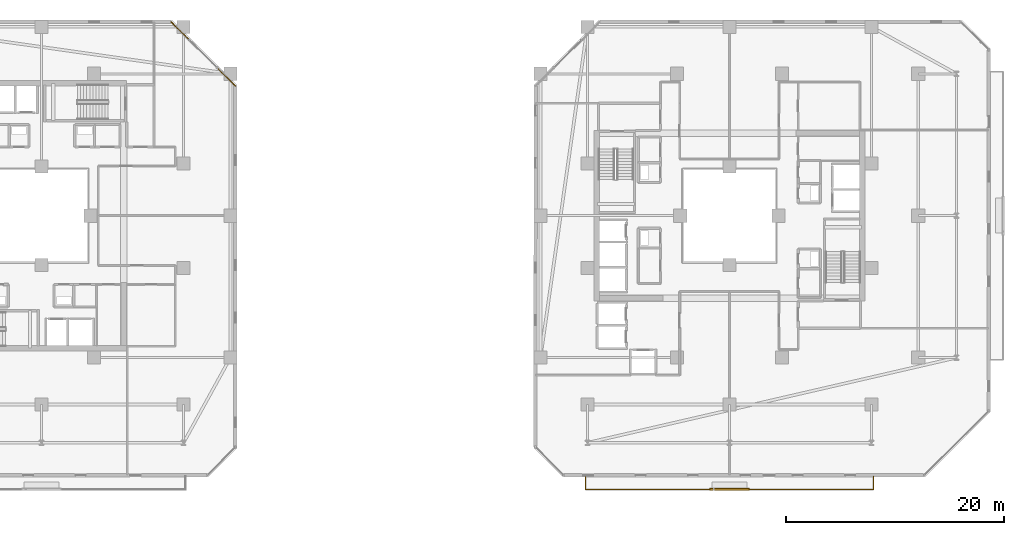
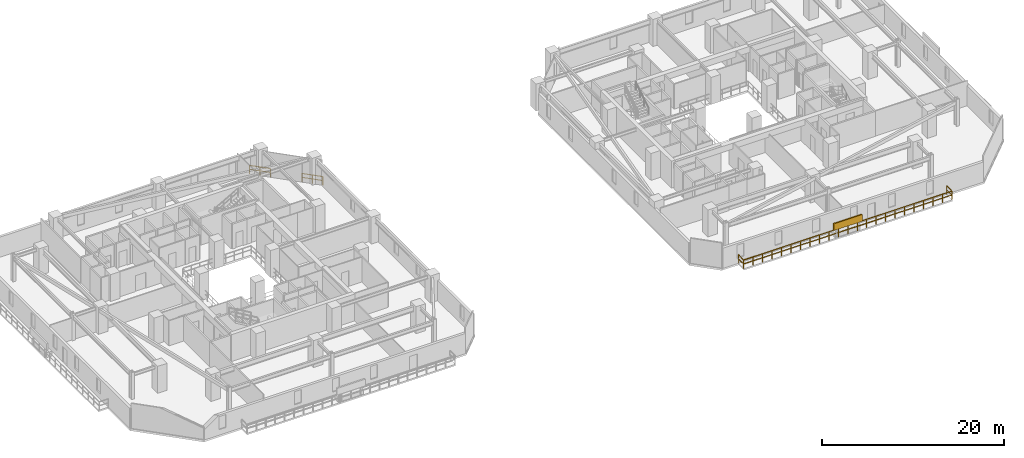
# One storey, part 30 of 32: 3 railings, 1 shading device.
"""IFC4 building model written with IfcOpenShell, lengths in metres."""

from ifc_helpers import new_model, si_unit, direction, frame, origin, origin_2d, place, context, subcontext, project, spatial, rectangle, extrude, material, type_object, element, save


model = new_model("IFC4")

# Units and contexts
model_context = context("Model", 3, precision=1e-05, world=origin(), true_north=direction((0.0, 1.0)))
body_context = subcontext(model_context, "Body", "Model", "MODEL_VIEW")
ifc_project = project(units=[si_unit("LENGTHUNIT", "METRE"), si_unit("AREAUNIT", "SQUARE_METRE"), si_unit("VOLUMEUNIT", "CUBIC_METRE"), si_unit("PLANEANGLEUNIT", "RADIAN"), si_unit("MASSUNIT", "GRAM", prefix="KILO")], contexts=[model_context])

# Site, building, storey
site_placement = place(None, origin())
site = spatial("IfcSite", under=ifc_project, at=site_placement, CompositionType="ELEMENT")
building_placement = place(site_placement, origin())
building = spatial("IfcBuilding", under=site, at=building_placement, Name="Thornwick Lancets Civic Towers", CompositionType="ELEMENT")
storey_placement = place(building_placement, frame((0.0, 0.0, 123.300048828125)))
storey = spatial("IfcBuildingStorey", under=building, at=storey_placement, Name="L32", CompositionType="ELEMENT", Elevation=123.300048828125)

# Railings
ifc_material_1 = material(Name="Terracotta-capped laminated glass balustrade S355", Category="masonry")
railing_type = type_object("IfcRailingType", Name="RAIL_TERR_GUARD", PredefinedType="GUARDRAIL", material=ifc_material_1)
for number, where, name in (
    (1, (43.253662109375, 38.872314453125, 0.0), "L32 Tower A Chamfer Spandrel Guard E3-1"),
    (2, (39.046875, 43.0791015625, 0.0), "L32 Tower A Chamfer Spandrel Guard E3-2"),
):
    element("IfcRailing", number, at=place(storey_placement, frame(where)), inside=storey, type_object=railing_type, Name=name, PredefinedType="GUARDRAIL", context=body_context, shape_type="SweptSolid", body=[
        extrude(rectangle(XDim=0.048095703125, YDim=0.048095703125, at=origin_2d()), frame((0.0, 0.0, 1.1259765625), z_axis=(-0.707106781187, 0.707106781187, 0.0), x_axis=(-0.707106781187, -0.707106781187, 0.0)), (0.0, 0.0, 1.0), 2.3681640625),
        extrude(rectangle(XDim=0.0419921875, YDim=0.0419921875, at=origin_2d()), frame((-0.026611328125, 0.026611328125, 0.597900390625), z_axis=(-0.707106781187, 0.707106781187, 0.0), x_axis=(-0.707106781187, -0.707106781187, 0.0)), (0.0, 0.0, 1.0), 1.109130859375),
        extrude(rectangle(XDim=0.0419921875, YDim=0.0419921875, at=origin_2d()), frame((-0.86376953125, 0.86376953125, 0.597900390625), z_axis=(-0.707106781187, 0.707106781187, 0.0), x_axis=(-0.707106781187, -0.707106781187, 0.0)), (0.0, 0.0, 1.0), 1.109130859375),
        extrude(rectangle(XDim=0.0419921875, YDim=0.0419921875, at=origin_2d()), origin(), (0.0, 0.0, 1.0), 1.095703125),
        extrude(rectangle(XDim=0.0419921875, YDim=0.0419921875, at=origin_2d()), frame((-0.83740234375, 0.83740234375, 0.0)), (0.0, 0.0, 1.0), 1.095703125),
        extrude(rectangle(XDim=0.0419921875, YDim=0.0419921875, at=origin_2d()), frame((-1.674560546875, 1.674560546875, 0.0)), (0.0, 0.0, 1.0), 1.095703125),
    ])
railing_placement = place(storey_placement, frame((75.300048828125, 3.10009765625, 0.0)))
element("IfcRailing", 3, at=railing_placement, inside=storey, type_object=railing_type, Name="L32 Tower B Balcony Guard S", PredefinedType="GUARDRAIL", context=body_context, shape_type="SweptSolid", body=[
    extrude(rectangle(XDim=0.048095703125, YDim=0.048095703125, at=origin_2d()), frame((0.0, 0.0, 1.1259765625), z_axis=(0.0, -1.0, 0.0), x_axis=(1.0, 0.0, 0.0)), (0.0, 0.0, 1.0), 1.138916015625),
    extrude(rectangle(XDim=0.0419921875, YDim=0.0419921875, at=origin_2d()), frame((0.0, -0.03759765625, 0.597900390625), z_axis=(0.0, -1.0, 0.0), x_axis=(1.0, 0.0, 0.0)), (0.0, 0.0, 1.0), 1.09521484375),
    extrude(rectangle(XDim=0.048095703125, YDim=0.048095703125, at=origin_2d()), frame((0.03125, -1.170166015625, 1.1259765625), z_axis=(1.0, 0.0, 0.0), x_axis=(0.0, 1.0, 0.0)), (0.0, 0.0, 1.0), 26.33740234375),
    extrude(rectangle(XDim=0.0419921875, YDim=0.0419921875, at=origin_2d()), frame((0.03759765625, -1.170166015625, 0.597900390625), z_axis=(1.0, 0.0, 0.0), x_axis=(0.0, 1.0, 0.0)), (0.0, 0.0, 1.0), 1.125),
    extrude(rectangle(XDim=0.0419921875, YDim=0.0419921875, at=origin_2d()), frame((1.237548828125, -1.170166015625, 0.597900390625), z_axis=(1.0, 0.0, 0.0), x_axis=(0.0, 1.0, 0.0)), (0.0, 0.0, 1.0), 1.125),
    extrude(rectangle(XDim=0.0419921875, YDim=0.0419921875, at=origin_2d()), frame((2.4375, -1.170166015625, 0.597900390625), z_axis=(1.0, 0.0, 0.0), x_axis=(0.0, 1.0, 0.0)), (0.0, 0.0, 1.0), 1.125),
    extrude(rectangle(XDim=0.0419921875, YDim=0.0419921875, at=origin_2d()), frame((3.637451171875, -1.170166015625, 0.597900390625), z_axis=(1.0, 0.0, 0.0), x_axis=(0.0, 1.0, 0.0)), (0.0, 0.0, 1.0), 1.125),
    extrude(rectangle(XDim=0.0419921875, YDim=0.0419921875, at=origin_2d()), frame((4.83740234375, -1.170166015625, 0.597900390625), z_axis=(1.0, 0.0, 0.0), x_axis=(0.0, 1.0, 0.0)), (0.0, 0.0, 1.0), 1.125),
    extrude(rectangle(XDim=0.0419921875, YDim=0.0419921875, at=origin_2d()), frame((6.037353515625, -1.170166015625, 0.597900390625), z_axis=(1.0, 0.0, 0.0), x_axis=(0.0, 1.0, 0.0)), (0.0, 0.0, 1.0), 1.125),
    extrude(rectangle(XDim=0.0419921875, YDim=0.0419921875, at=origin_2d()), frame((7.237548828125, -1.170166015625, 0.597900390625), z_axis=(1.0, 0.0, 0.0), x_axis=(0.0, 1.0, 0.0)), (0.0, 0.0, 1.0), 1.125),
    extrude(rectangle(XDim=0.0419921875, YDim=0.0419921875, at=origin_2d()), frame((8.4375, -1.170166015625, 0.597900390625), z_axis=(1.0, 0.0, 0.0), x_axis=(0.0, 1.0, 0.0)), (0.0, 0.0, 1.0), 1.125),
    extrude(rectangle(XDim=0.0419921875, YDim=0.0419921875, at=origin_2d()), frame((9.637451171875, -1.170166015625, 0.597900390625), z_axis=(1.0, 0.0, 0.0), x_axis=(0.0, 1.0, 0.0)), (0.0, 0.0, 1.0), 1.125),
    extrude(rectangle(XDim=0.0419921875, YDim=0.0419921875, at=origin_2d()), frame((10.83740234375, -1.170166015625, 0.597900390625), z_axis=(1.0, 0.0, 0.0), x_axis=(0.0, 1.0, 0.0)), (0.0, 0.0, 1.0), 1.125),
    extrude(rectangle(XDim=0.0419921875, YDim=0.0419921875, at=origin_2d()), frame((12.037353515625, -1.170166015625, 0.597900390625), z_axis=(1.0, 0.0, 0.0), x_axis=(0.0, 1.0, 0.0)), (0.0, 0.0, 1.0), 1.125),
    extrude(rectangle(XDim=0.0419921875, YDim=0.0419921875, at=origin_2d()), frame((13.237548828125, -1.170166015625, 0.597900390625), z_axis=(1.0, 0.0, 0.0), x_axis=(0.0, 1.0, 0.0)), (0.0, 0.0, 1.0), 1.125),
    extrude(rectangle(XDim=0.0419921875, YDim=0.0419921875, at=origin_2d()), frame((14.4375, -1.170166015625, 0.597900390625), z_axis=(1.0, 0.0, 0.0), x_axis=(0.0, 1.0, 0.0)), (0.0, 0.0, 1.0), 1.125),
    extrude(rectangle(XDim=0.0419921875, YDim=0.0419921875, at=origin_2d()), frame((15.637451171875, -1.170166015625, 0.597900390625), z_axis=(1.0, 0.0, 0.0), x_axis=(0.0, 1.0, 0.0)), (0.0, 0.0, 1.0), 1.125),
    extrude(rectangle(XDim=0.0419921875, YDim=0.0419921875, at=origin_2d()), frame((16.83740234375, -1.170166015625, 0.597900390625), z_axis=(1.0, 0.0, 0.0), x_axis=(0.0, 1.0, 0.0)), (0.0, 0.0, 1.0), 1.125),
    extrude(rectangle(XDim=0.0419921875, YDim=0.0419921875, at=origin_2d()), frame((18.037353515625, -1.170166015625, 0.597900390625), z_axis=(1.0, 0.0, 0.0), x_axis=(0.0, 1.0, 0.0)), (0.0, 0.0, 1.0), 1.125),
    extrude(rectangle(XDim=0.0419921875, YDim=0.0419921875, at=origin_2d()), frame((19.2373046875, -1.170166015625, 0.597900390625), z_axis=(1.0, 0.0, 0.0), x_axis=(0.0, 1.0, 0.0)), (0.0, 0.0, 1.0), 1.125),
    extrude(rectangle(XDim=0.0419921875, YDim=0.0419921875, at=origin_2d()), frame((20.4375, -1.170166015625, 0.597900390625), z_axis=(1.0, 0.0, 0.0), x_axis=(0.0, 1.0, 0.0)), (0.0, 0.0, 1.0), 1.125),
    extrude(rectangle(XDim=0.0419921875, YDim=0.0419921875, at=origin_2d()), frame((21.637451171875, -1.170166015625, 0.597900390625), z_axis=(1.0, 0.0, 0.0), x_axis=(0.0, 1.0, 0.0)), (0.0, 0.0, 1.0), 1.125),
    extrude(rectangle(XDim=0.0419921875, YDim=0.0419921875, at=origin_2d()), frame((22.83740234375, -1.170166015625, 0.597900390625), z_axis=(1.0, 0.0, 0.0), x_axis=(0.0, 1.0, 0.0)), (0.0, 0.0, 1.0), 1.125),
    extrude(rectangle(XDim=0.0419921875, YDim=0.0419921875, at=origin_2d()), frame((24.037353515625, -1.170166015625, 0.597900390625), z_axis=(1.0, 0.0, 0.0), x_axis=(0.0, 1.0, 0.0)), (0.0, 0.0, 1.0), 1.125),
    extrude(rectangle(XDim=0.0419921875, YDim=0.0419921875, at=origin_2d()), frame((25.2373046875, -1.170166015625, 0.597900390625), z_axis=(1.0, 0.0, 0.0), x_axis=(0.0, 1.0, 0.0)), (0.0, 0.0, 1.0), 1.125),
    extrude(rectangle(XDim=0.048095703125, YDim=0.048095703125, at=origin_2d()), frame((26.39990234375, -1.138916015625, 1.1259765625), z_axis=(0.0, 1.0, 0.0), x_axis=(-1.0, 0.0, 0.0)), (0.0, 0.0, 1.0), 1.138916015625),
    extrude(rectangle(XDim=0.0419921875, YDim=0.0419921875, at=origin_2d()), frame((26.39990234375, -1.132568359375, 0.597900390625), z_axis=(0.0, 1.0, 0.0), x_axis=(-1.0, 0.0, 0.0)), (0.0, 0.0, 1.0), 1.09521484375),
    extrude(rectangle(XDim=0.0419921875, YDim=0.0419921875, at=origin_2d()), origin(), (0.0, 0.0, 1.0), 1.095703125),
    extrude(rectangle(XDim=0.0419921875, YDim=0.0419921875, at=origin_2d()), frame((0.0, -1.170166015625, 0.0)), (0.0, 0.0, 1.0), 1.095703125),
    extrude(rectangle(XDim=0.0419921875, YDim=0.0419921875, at=origin_2d()), frame((1.199951171875, -1.170166015625, 0.0)), (0.0, 0.0, 1.0), 1.095703125),
    extrude(rectangle(XDim=0.0419921875, YDim=0.0419921875, at=origin_2d()), frame((2.39990234375, -1.170166015625, 0.0)), (0.0, 0.0, 1.0), 1.095703125),
    extrude(rectangle(XDim=0.0419921875, YDim=0.0419921875, at=origin_2d()), frame((3.60009765625, -1.170166015625, 0.0)), (0.0, 0.0, 1.0), 1.095703125),
    extrude(rectangle(XDim=0.0419921875, YDim=0.0419921875, at=origin_2d()), frame((4.800048828125, -1.170166015625, 0.0)), (0.0, 0.0, 1.0), 1.095703125),
    extrude(rectangle(XDim=0.0419921875, YDim=0.0419921875, at=origin_2d()), frame((6.0, -1.170166015625, 0.0)), (0.0, 0.0, 1.0), 1.095703125),
    extrude(rectangle(XDim=0.0419921875, YDim=0.0419921875, at=origin_2d()), frame((7.199951171875, -1.170166015625, 0.0)), (0.0, 0.0, 1.0), 1.095703125),
    extrude(rectangle(XDim=0.0419921875, YDim=0.0419921875, at=origin_2d()), frame((8.39990234375, -1.170166015625, 0.0)), (0.0, 0.0, 1.0), 1.095703125),
    extrude(rectangle(XDim=0.0419921875, YDim=0.0419921875, at=origin_2d()), frame((9.599853515625, -1.170166015625, 0.0)), (0.0, 0.0, 1.0), 1.095703125),
    extrude(rectangle(XDim=0.0419921875, YDim=0.0419921875, at=origin_2d()), frame((10.800048828125, -1.170166015625, 0.0)), (0.0, 0.0, 1.0), 1.095703125),
    extrude(rectangle(XDim=0.0419921875, YDim=0.0419921875, at=origin_2d()), frame((12.0, -1.170166015625, 0.0)), (0.0, 0.0, 1.0), 1.095703125),
    extrude(rectangle(XDim=0.0419921875, YDim=0.0419921875, at=origin_2d()), frame((13.199951171875, -1.170166015625, 0.0)), (0.0, 0.0, 1.0), 1.095703125),
    extrude(rectangle(XDim=0.0419921875, YDim=0.0419921875, at=origin_2d()), frame((14.39990234375, -1.170166015625, 0.0)), (0.0, 0.0, 1.0), 1.095703125),
    extrude(rectangle(XDim=0.0419921875, YDim=0.0419921875, at=origin_2d()), frame((15.599853515625, -1.170166015625, 0.0)), (0.0, 0.0, 1.0), 1.095703125),
    extrude(rectangle(XDim=0.0419921875, YDim=0.0419921875, at=origin_2d()), frame((16.800048828125, -1.170166015625, 0.0)), (0.0, 0.0, 1.0), 1.095703125),
    extrude(rectangle(XDim=0.0419921875, YDim=0.0419921875, at=origin_2d()), frame((18.0, -1.170166015625, 0.0)), (0.0, 0.0, 1.0), 1.095703125),
    extrude(rectangle(XDim=0.0419921875, YDim=0.0419921875, at=origin_2d()), frame((19.199951171875, -1.170166015625, 0.0)), (0.0, 0.0, 1.0), 1.095703125),
    extrude(rectangle(XDim=0.0419921875, YDim=0.0419921875, at=origin_2d()), frame((20.39990234375, -1.170166015625, 0.0)), (0.0, 0.0, 1.0), 1.095703125),
    extrude(rectangle(XDim=0.0419921875, YDim=0.0419921875, at=origin_2d()), frame((21.599853515625, -1.170166015625, 0.0)), (0.0, 0.0, 1.0), 1.095703125),
    extrude(rectangle(XDim=0.0419921875, YDim=0.0419921875, at=origin_2d()), frame((22.7998046875, -1.170166015625, 0.0)), (0.0, 0.0, 1.0), 1.095703125),
    extrude(rectangle(XDim=0.0419921875, YDim=0.0419921875, at=origin_2d()), frame((24.0, -1.170166015625, 0.0)), (0.0, 0.0, 1.0), 1.095703125),
    extrude(rectangle(XDim=0.0419921875, YDim=0.0419921875, at=origin_2d()), frame((25.199951171875, -1.170166015625, 0.0)), (0.0, 0.0, 1.0), 1.095703125),
    extrude(rectangle(XDim=0.0419921875, YDim=0.0419921875, at=origin_2d()), frame((26.39990234375, -1.170166015625, 0.0)), (0.0, 0.0, 1.0), 1.095703125),
    extrude(rectangle(XDim=0.0419921875, YDim=0.0419921875, at=origin_2d()), frame((26.39990234375, 0.0, 0.0)), (0.0, 0.0, 1.0), 1.095703125),
])

# Shading device
ifc_material_2 = material(Name="Extruded terracotta baguette solar screen", Category="masonry")
shading_device_type = type_object("IfcShadingDeviceType", Name="SHADE_BAGUETTE", PredefinedType="JALOUSIE", material=ifc_material_2)
shading_device_placement = place(storey_placement, frame((88.5, 1.93994140625, 1.1201171875), z_axis=(0.0, 0.0, 1.0), x_axis=(1.0, 0.0, 0.0)))
element("IfcShadingDevice", 4, at=shading_device_placement, inside=storey, type_object=shading_device_type, Name="L32 Tower B Terracotta Baguette Screen S", PredefinedType="JALOUSIE", context=body_context, shape_type="SweptSolid", body=[
    extrude(rectangle(XDim=3.60009765625, YDim=0.179931640625, at=origin_2d()), origin(), (0.0, 0.0, 1.0), 0.89990234375),
])

save(model, "model.ifc")
